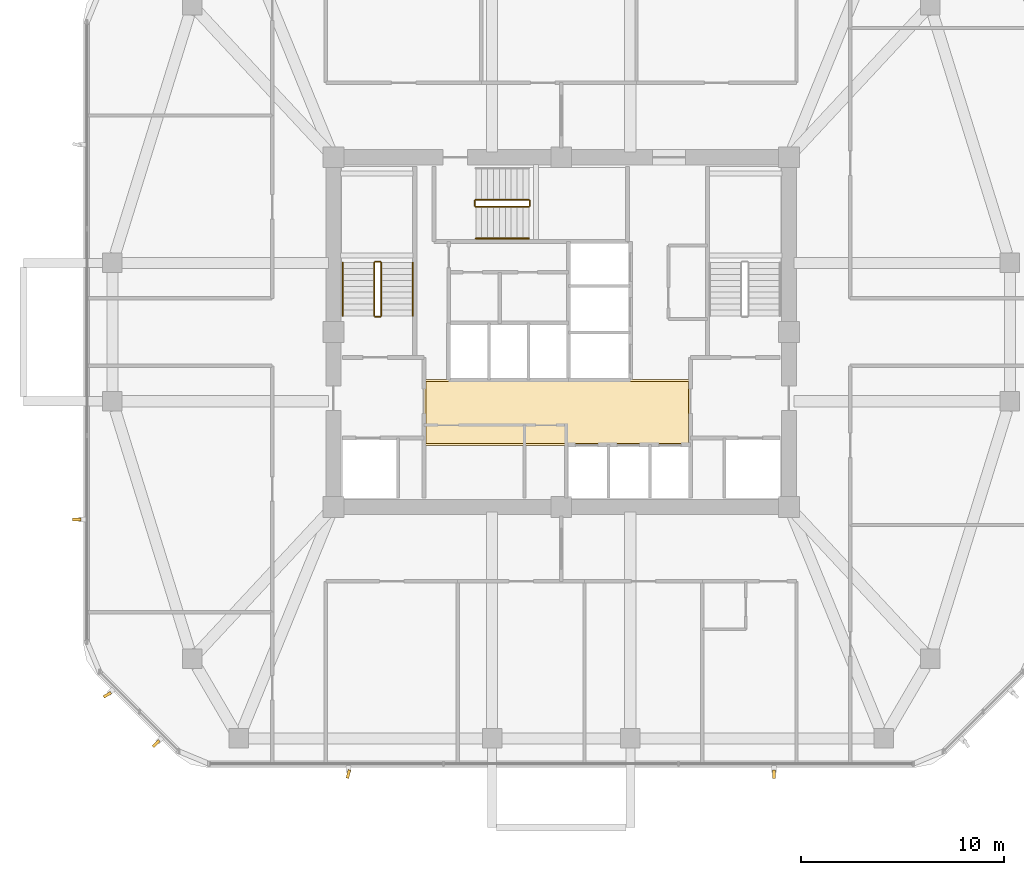
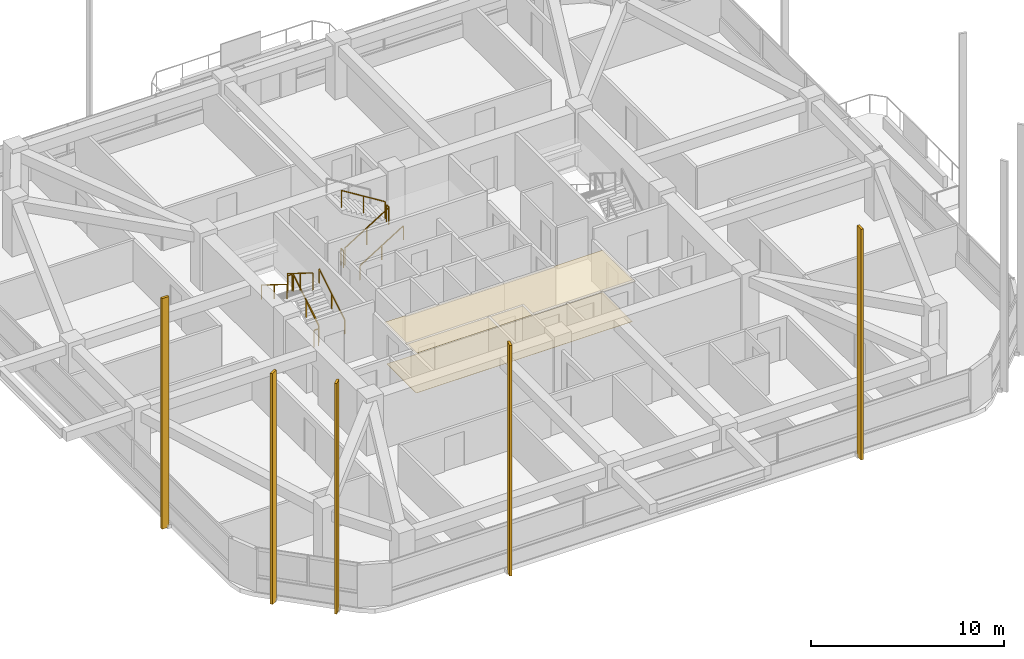
# One storey, part 12 of 14: 11 railings, 5 shading devices, 2 coverings.
"""IFC4 building model written with IfcOpenShell, lengths in metres."""

from ifc_helpers import new_model, si_unit, derived_unit, direction, frame, origin, origin_2d, place, context, subcontext, project, spatial, polyline, rectangle, outline, extrude, material, layer, layer_set, type_object, element, save


model = new_model("IFC4")

# Units and contexts
model_context = context("Model", 3, precision=1e-05, world=origin(), true_north=direction((0.0, 1.0)))
body_context = subcontext(model_context, "Body", "Model", "MODEL_VIEW")
ifc_project = project(units=[si_unit("LENGTHUNIT", "METRE"), si_unit("AREAUNIT", "SQUARE_METRE"), si_unit("VOLUMEUNIT", "CUBIC_METRE"), si_unit("PLANEANGLEUNIT", "RADIAN"), si_unit("MASSUNIT", "GRAM", prefix="KILO"), derived_unit("THERMALTRANSMITTANCEUNIT", [(si_unit("POWERUNIT", "WATT"), 1), (si_unit("LENGTHUNIT", "METRE"), -2), (si_unit("THERMODYNAMICTEMPERATUREUNIT", "KELVIN"), -1)])], contexts=[model_context])

# Site, building, storey
site_placement = place(None, origin())
site = spatial("IfcSite", under=ifc_project, at=site_placement, CompositionType="ELEMENT")
building_placement = place(site_placement, origin())
building = spatial("IfcBuilding", under=site, at=building_placement, Name="Koralith Skygarden Medical Center", CompositionType="ELEMENT")
storey_placement = place(building_placement, frame((0.0, 0.0, 160.02001953125)))
storey = spatial("IfcBuildingStorey", under=building, at=storey_placement, Name="L41", CompositionType="ELEMENT", Elevation=160.02001953125)

# Covering
ifc_material_1 = material(Name="Acoustic Mineral Tile")
ifc_layer_1 = layer(ifc_material_1, 0.02001953125)
ifc_layer_set_1 = layer_set([ifc_layer_1], Name="Acoustic Mineral Tile")
covering_type_1 = type_object("IfcCoveringType", Name="Acoustic Hygienic Mineral Ceiling 20", PredefinedType="CEILING", material=ifc_layer_set_1)
covering_1_placement = place(storey_placement, frame((0.0, 0.0, 2.5849609375)))
element("IfcCovering", 1, at=covering_1_placement, inside=storey, type_object=covering_type_1, Name="L41 Core Lobby Acoustic Ceiling", PredefinedType="CEILING", context=body_context, shape_type="SweptSolid", body=[
    extrude(outline(polyline([(30.25, 20.320068359375), (43.35009765625, 20.320068359375), (43.35009765625, 23.56005859375), (30.25, 23.56005859375), (30.25, 20.320068359375)])), origin(), (0.0, 0.0, 1.0), 0.02001953125),
])

# Shading devices
ifc_material_2 = material(Name="Aluminium 6063-T6", Category="aluminium")
shading_device_type = type_object("IfcShadingDeviceType", Name="Limestone-Clad Solar Storm Fin 420", PredefinedType="USERDEFINED", material=ifc_material_2)
for number, where, z_axis, x_axis, name in (
    (2, (26.5400390625, 4.169921875, -0.2001953125), (0.0, 0.0, 1.0), (-0.241786414401, -0.970329495487, 0.0), "L41 S Harmonic Solar Storm Fin 1"),
    (3, (47.4599609375, 4.169921875, -0.2001953125), (0.0, 0.0, 1.0), (-0.008429840443, -0.999964468264, 0.0), "L41 S Harmonic Solar Storm Fin 2"),
    (4, (13.18603515625, 16.68994140625, -0.2001953125), (0.0, 0.0, 1.0), (-0.999964468264, 0.008429840443, 0.0), "L41 W Harmonic Solar Storm Fin 2"),
    (5, (14.68408203125, 8.06591796875, -0.2001953125), (0.0, 0.0, 1.0), (-0.857095379465, -0.515157753022, 0.0), "L41 SW Harmonic Solar Storm Fin 1"),
    (6, (17.08203125, 5.66796875, -0.2001953125), (0.0, 0.0, 1.0), (-0.713042453797, -0.701120859113, 0.0), "L41 SW Harmonic Solar Storm Fin 2"),
):
    element("IfcShadingDevice", number, at=place(storey_placement, frame(where, z_axis=z_axis, x_axis=x_axis)), inside=storey, type_object=shading_device_type, Name=name, ObjectType="SOLAR FIN", PredefinedType="USERDEFINED", context=body_context, shape_type="SweptSolid", body=[
        extrude(rectangle(XDim=0.419921875, YDim=0.139892578125, at=origin_2d()), origin(), (0.0, 0.0, 1.0), 14.550048828125),
    ])

# Covering
ifc_material_3 = material(Name="Medical Terrazzo Flooring")
ifc_layer_2 = layer(ifc_material_3, 0.014892578125)
ifc_layer_set_2 = layer_set([ifc_layer_2], Name="Medical Terrazzo Flooring")
covering_type_2 = type_object("IfcCoveringType", Name="Seamless Antimicrobial Terrazzo Flooring 15", PredefinedType="FLOORING", material=ifc_layer_set_2)
covering_2_placement = place(storey_placement, origin())
element("IfcCovering", 7, at=covering_2_placement, inside=storey, type_object=covering_type_2, Name="L41 Core Lobby Terrazzo Flooring", PredefinedType="FLOORING", context=body_context, shape_type="SweptSolid", body=[
    extrude(outline(polyline([(30.35009765625, 20.419921875), (43.25, 20.419921875), (43.25, 23.4599609375), (30.35009765625, 23.4599609375), (30.35009765625, 20.419921875)])), origin(), (0.0, 0.0, 1.0), 0.014892578125),
])

# Railings
ifc_material_4 = material(Name="Steel ASTM A500 Grade C", Category="steel")
railing_type_1 = type_object("IfcRailingType", Name="Stair Flight Tubular Handrail 920", PredefinedType="HANDRAIL", material=ifc_material_4)
railing_1_placement = place(storey_placement, frame((29.699951171875, 26.699951171875, 0.179931640625)))
element("IfcRailing", 8, at=railing_1_placement, inside=storey, type_object=railing_type_1, Name="L41 ST1 stair handrail 1", PredefinedType="HANDRAIL", context=body_context, shape_type="SweptSolid", body=[
    extrude(rectangle(XDim=0.050048828125, YDim=0.050048828125, at=origin_2d()), frame((0.0, 0.001708984375, 0.89599609375), z_axis=(0.0, 0.849632798774, 0.527374731332), x_axis=(-1.0, 0.0, 0.0)), (0.0, 0.0, 1.0), 3.068115234375),
    extrude(rectangle(XDim=0.0419921875, YDim=0.0419921875, at=origin_2d()), origin(), (0.0, 0.0, 1.0), 0.867919921875),
    extrude(rectangle(XDim=0.0419921875, YDim=0.0419921875, at=origin_2d()), frame((0.0, 1.30517578125, 0.81005859375)), (0.0, 0.0, 1.0), 0.867919921875),
    extrude(rectangle(XDim=0.0419921875, YDim=0.0419921875, at=origin_2d()), frame((0.0, 2.610107421875, 1.6201171875)), (0.0, 0.0, 1.0), 0.867919921875),
])
railing_2_placement = place(storey_placement, frame((26.25, 29.31005859375, 1.97998046875)))
element("IfcRailing", 9, at=railing_2_placement, inside=storey, type_object=railing_type_1, Name="L41 ST1 stair handrail 2", PredefinedType="HANDRAIL", context=body_context, shape_type="SweptSolid", body=[
    extrude(rectangle(XDim=0.050048828125, YDim=0.050048828125, at=origin_2d()), frame((0.0, -0.001708984375, 0.89599609375), z_axis=(0.0, -0.849632798774, 0.527374731332), x_axis=(1.0, 0.0, 0.0)), (0.0, 0.0, 1.0), 3.068115234375),
    extrude(rectangle(XDim=0.0419921875, YDim=0.0419921875, at=origin_2d()), origin(), (0.0, 0.0, 1.0), 0.867919921875),
    extrude(rectangle(XDim=0.0419921875, YDim=0.0419921875, at=origin_2d()), frame((0.0, -1.30517578125, 0.81005859375)), (0.0, 0.0, 1.0), 0.867919921875),
    extrude(rectangle(XDim=0.0419921875, YDim=0.0419921875, at=origin_2d()), frame((0.0, -2.610107421875, 1.6201171875)), (0.0, 0.0, 1.0), 0.867919921875),
])
railing_3_placement = place(storey_placement, frame((32.800048828125, 30.5, 0.179931640625)))
element("IfcRailing", 10, at=railing_3_placement, inside=storey, type_object=railing_type_1, Name="L41 ST3 stair handrail 1", PredefinedType="HANDRAIL", context=body_context, shape_type="SweptSolid", body=[
    extrude(rectangle(XDim=0.050048828125, YDim=0.050048828125, at=origin_2d()), frame((0.001708984375, 0.0, 0.89599609375), z_axis=(0.849610693518, 0.0, 0.52741034258), x_axis=(0.0, 1.0, 0.0)), (0.0, 0.0, 1.0), 3.06787109375),
    extrude(rectangle(XDim=0.0419921875, YDim=0.0419921875, at=origin_2d()), origin(), (0.0, 0.0, 1.0), 0.867919921875),
    extrude(rectangle(XDim=0.0419921875, YDim=0.0419921875, at=origin_2d()), frame((1.304931640625, 0.0, 0.81005859375)), (0.0, 0.0, 1.0), 0.867919921875),
    extrude(rectangle(XDim=0.0419921875, YDim=0.0419921875, at=origin_2d()), frame((2.60986328125, 0.0, 1.6201171875)), (0.0, 0.0, 1.0), 0.867919921875),
])
railing_type_2 = type_object("IfcRailingType", Name="Stair Well Safety Guardrail 1100", PredefinedType="GUARDRAIL", material=ifc_material_4)
railing_4_placement = place(storey_placement, frame((28.14990234375, 26.699951171875, 0.179931640625)))
element("IfcRailing", 11, at=railing_4_placement, inside=storey, type_object=railing_type_2, Name="L41 ST1 stair guard 1", PredefinedType="GUARDRAIL", context=body_context, shape_type="SweptSolid", body=[
    extrude(rectangle(XDim=0.050048828125, YDim=0.050048828125, at=origin_2d()), frame((0.0, 0.001708984375, 1.076171875), z_axis=(0.0, 0.849632798774, 0.527374731332), x_axis=(-1.0, 0.0, 0.0)), (0.0, 0.0, 1.0), 3.068115234375),
    extrude(rectangle(XDim=0.0419921875, YDim=0.0419921875, at=origin_2d()), origin(), (0.0, 0.0, 1.0), 1.048095703125),
    extrude(rectangle(XDim=0.0419921875, YDim=0.0419921875, at=origin_2d()), frame((0.0, 1.30517578125, 0.81005859375)), (0.0, 0.0, 1.0), 1.048095703125),
    extrude(rectangle(XDim=0.0419921875, YDim=0.0419921875, at=origin_2d()), frame((0.0, 2.610107421875, 1.6201171875)), (0.0, 0.0, 1.0), 1.048095703125),
])
railing_5_placement = place(storey_placement, frame((28.10009765625, 29.360107421875, 1.800048828125)))
element("IfcRailing", 12, at=railing_5_placement, inside=storey, type_object=railing_type_2, Name="L41 ST1 stair guard 2", PredefinedType="GUARDRAIL", context=body_context, shape_type="SweptSolid", body=[
    extrude(rectangle(XDim=0.050048828125, YDim=0.050048828125, at=origin_2d()), frame((-0.001953125, 0.0, 1.0751953125), z_axis=(-1.0, 0.0, 0.0), x_axis=(0.0, -1.0, 0.0)), (0.0, 0.0, 1.0), 0.24609375),
    extrude(rectangle(XDim=0.0419921875, YDim=0.0419921875, at=origin_2d()), origin(), (0.0, 0.0, 1.0), 1.048095703125),
    extrude(rectangle(XDim=0.0419921875, YDim=0.0419921875, at=origin_2d()), frame((-0.25, 0.0, 0.0)), (0.0, 0.0, 1.0), 1.048095703125),
])
railing_6_placement = place(storey_placement, frame((27.800048828125, 29.31005859375, 1.97998046875)))
element("IfcRailing", 13, at=railing_6_placement, inside=storey, type_object=railing_type_2, Name="L41 ST1 stair guard 3", PredefinedType="GUARDRAIL", context=body_context, shape_type="SweptSolid", body=[
    extrude(rectangle(XDim=0.050048828125, YDim=0.050048828125, at=origin_2d()), frame((0.0, -0.001708984375, 1.076171875), z_axis=(0.0, -0.849632798774, 0.527374731332), x_axis=(1.0, 0.0, 0.0)), (0.0, 0.0, 1.0), 3.068115234375),
    extrude(rectangle(XDim=0.0419921875, YDim=0.0419921875, at=origin_2d()), origin(), (0.0, 0.0, 1.0), 1.048095703125),
    extrude(rectangle(XDim=0.0419921875, YDim=0.0419921875, at=origin_2d()), frame((0.0, -1.30517578125, 0.81005859375)), (0.0, 0.0, 1.0), 1.048095703125),
    extrude(rectangle(XDim=0.0419921875, YDim=0.0419921875, at=origin_2d()), frame((0.0, -2.610107421875, 1.6201171875)), (0.0, 0.0, 1.0), 1.048095703125),
])
railing_7_placement = place(storey_placement, frame((28.10009765625, 26.64990234375, 0.0)))
element("IfcRailing", 14, at=railing_7_placement, inside=storey, type_object=railing_type_2, Name="L41 ST1 stair guard 4", PredefinedType="GUARDRAIL", context=body_context, shape_type="SweptSolid", body=[
    extrude(rectangle(XDim=0.050048828125, YDim=0.050048828125, at=origin_2d()), frame((-0.001953125, 0.0, 1.0751953125), z_axis=(-1.0, 0.0, 0.0), x_axis=(0.0, -1.0, 0.0)), (0.0, 0.0, 1.0), 0.24609375),
    extrude(rectangle(XDim=0.0419921875, YDim=0.0419921875, at=origin_2d()), origin(), (0.0, 0.0, 1.0), 1.048095703125),
    extrude(rectangle(XDim=0.0419921875, YDim=0.0419921875, at=origin_2d()), frame((-0.25, 0.0, 0.0)), (0.0, 0.0, 1.0), 1.048095703125),
])
railing_8_placement = place(storey_placement, frame((32.800048828125, 32.050048828125, 0.179931640625)))
element("IfcRailing", 15, at=railing_8_placement, inside=storey, type_object=railing_type_2, Name="L41 ST3 stair guard 1", PredefinedType="GUARDRAIL", context=body_context, shape_type="SweptSolid", body=[
    extrude(rectangle(XDim=0.050048828125, YDim=0.050048828125, at=origin_2d()), frame((0.001708984375, 0.0, 1.076171875), z_axis=(0.849610693518, 0.0, 0.52741034258), x_axis=(0.0, 1.0, 0.0)), (0.0, 0.0, 1.0), 3.06787109375),
    extrude(rectangle(XDim=0.0419921875, YDim=0.0419921875, at=origin_2d()), origin(), (0.0, 0.0, 1.0), 1.048095703125),
    extrude(rectangle(XDim=0.0419921875, YDim=0.0419921875, at=origin_2d()), frame((1.304931640625, 0.0, 0.81005859375)), (0.0, 0.0, 1.0), 1.048095703125),
    extrude(rectangle(XDim=0.0419921875, YDim=0.0419921875, at=origin_2d()), frame((2.60986328125, 0.0, 1.6201171875)), (0.0, 0.0, 1.0), 1.048095703125),
])
railing_9_placement = place(storey_placement, frame((35.4599609375, 32.10009765625, 1.800048828125)))
element("IfcRailing", 16, at=railing_9_placement, inside=storey, type_object=railing_type_2, Name="L41 ST3 stair guard 2", PredefinedType="GUARDRAIL", context=body_context, shape_type="SweptSolid", body=[
    extrude(rectangle(XDim=0.050048828125, YDim=0.050048828125, at=origin_2d()), frame((0.0, 0.001953125, 1.0751953125), z_axis=(0.0, 1.0, 0.0), x_axis=(-1.0, 0.0, 0.0)), (0.0, 0.0, 1.0), 0.24609375),
    extrude(rectangle(XDim=0.0419921875, YDim=0.0419921875, at=origin_2d()), origin(), (0.0, 0.0, 1.0), 1.048095703125),
    extrude(rectangle(XDim=0.0419921875, YDim=0.0419921875, at=origin_2d()), frame((0.0, 0.25, 0.0)), (0.0, 0.0, 1.0), 1.048095703125),
])
railing_10_placement = place(storey_placement, frame((35.409912109375, 32.39990234375, 1.97998046875)))
element("IfcRailing", 17, at=railing_10_placement, inside=storey, type_object=railing_type_2, Name="L41 ST3 stair guard 3", PredefinedType="GUARDRAIL", context=body_context, shape_type="SweptSolid", body=[
    extrude(rectangle(XDim=0.050048828125, YDim=0.050048828125, at=origin_2d()), frame((-0.001708984375, 0.0, 1.076171875), z_axis=(-0.849610693518, 0.0, 0.52741034258), x_axis=(0.0, -1.0, 0.0)), (0.0, 0.0, 1.0), 3.06787109375),
    extrude(rectangle(XDim=0.0419921875, YDim=0.0419921875, at=origin_2d()), origin(), (0.0, 0.0, 1.0), 1.048095703125),
    extrude(rectangle(XDim=0.0419921875, YDim=0.0419921875, at=origin_2d()), frame((-1.304931640625, 0.0, 0.81005859375)), (0.0, 0.0, 1.0), 1.048095703125),
    extrude(rectangle(XDim=0.0419921875, YDim=0.0419921875, at=origin_2d()), frame((-2.60986328125, 0.0, 1.6201171875)), (0.0, 0.0, 1.0), 1.048095703125),
])
railing_11_placement = place(storey_placement, frame((32.75, 32.10009765625, 0.0)))
element("IfcRailing", 18, at=railing_11_placement, inside=storey, type_object=railing_type_2, Name="L41 ST3 stair guard 4", PredefinedType="GUARDRAIL", context=body_context, shape_type="SweptSolid", body=[
    extrude(rectangle(XDim=0.050048828125, YDim=0.050048828125, at=origin_2d()), frame((0.0, 0.001953125, 1.0751953125), z_axis=(0.0, 1.0, 0.0), x_axis=(-1.0, 0.0, 0.0)), (0.0, 0.0, 1.0), 0.24609375),
    extrude(rectangle(XDim=0.0419921875, YDim=0.0419921875, at=origin_2d()), origin(), (0.0, 0.0, 1.0), 1.048095703125),
    extrude(rectangle(XDim=0.0419921875, YDim=0.0419921875, at=origin_2d()), frame((0.0, 0.25, 0.0)), (0.0, 0.0, 1.0), 1.048095703125),
])

save(model, "model.ifc")
